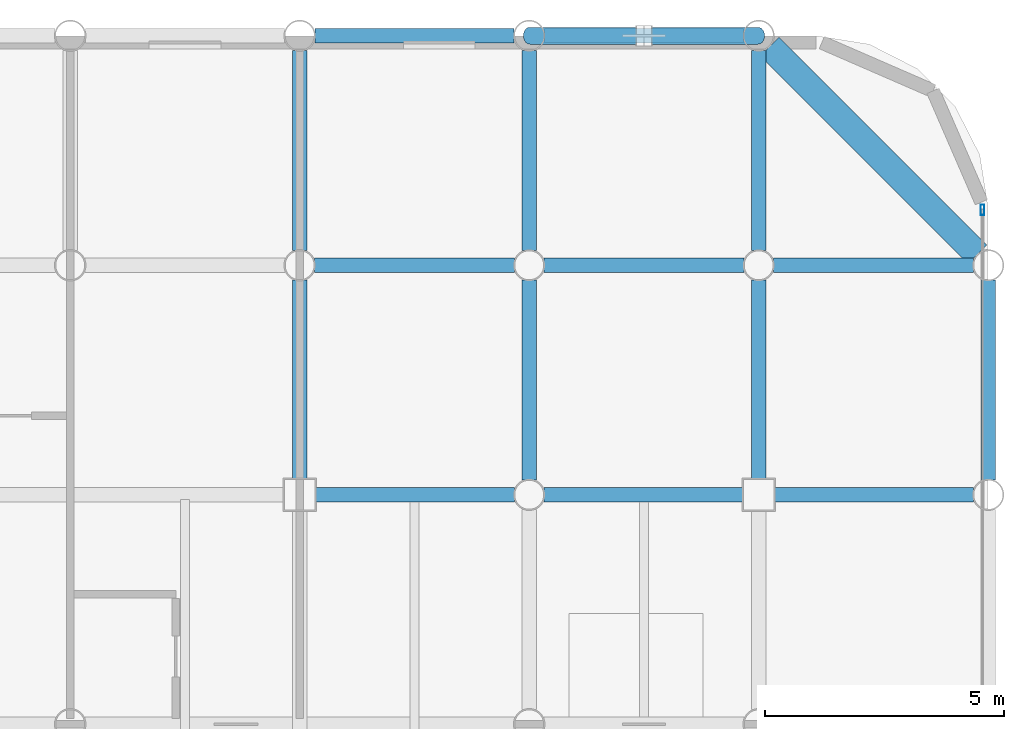
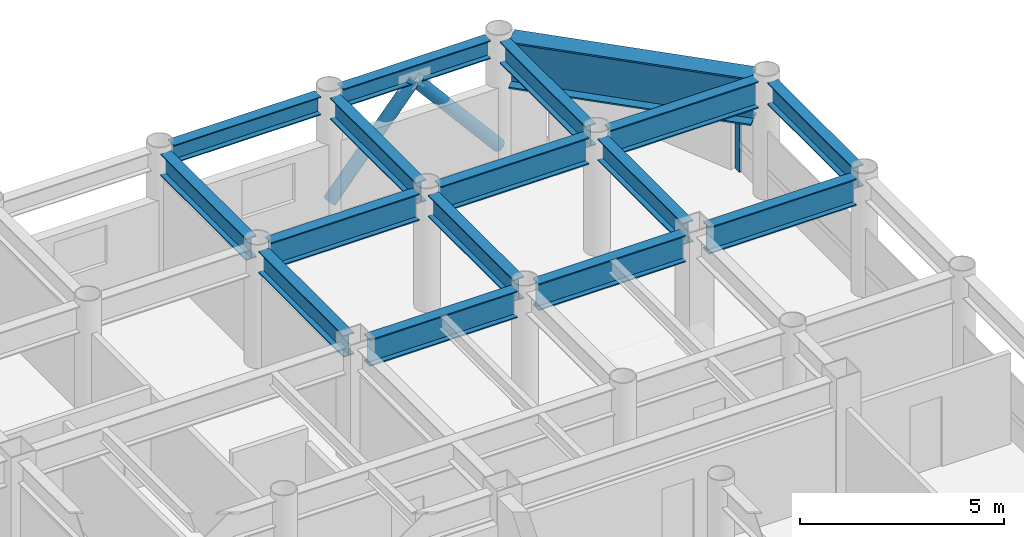
# One storey, part 14 of 21: 16 beams, 3 members, 1 element without a shape of its own.
"""IFC4 building model written with IfcOpenShell, lengths in metres."""

from ifc_helpers import new_model, si_unit, direction, frame, origin, origin_2d, place, context, subcontext, project, spatial, hollow_rectangle, hollow_circle, i_section, extrude, material, layer, layer_set, material_profile, profile_set, type_object, element, aggregate, save


model = new_model("IFC4")

# Units and contexts
model_context = context("Model", 3, precision=1e-05, world=origin(), true_north=direction((0.0, 1.0)))
body_context = subcontext(model_context, "Body", "Model", "MODEL_VIEW")
ifc_project = project(units=[si_unit("LENGTHUNIT", "METRE"), si_unit("AREAUNIT", "SQUARE_METRE"), si_unit("VOLUMEUNIT", "CUBIC_METRE"), si_unit("PLANEANGLEUNIT", "RADIAN"), si_unit("MASSUNIT", "GRAM", prefix="KILO")], contexts=[model_context])

# Site, building, storey
site_placement = place(None, origin())
site = spatial("IfcSite", under=ifc_project, at=site_placement, CompositionType="ELEMENT")
building_placement = place(site_placement, origin())
building = spatial("IfcBuilding", under=site, at=building_placement, Name="Kallvorn Hotel Tower", CompositionType="ELEMENT")
storey_placement = place(building_placement, frame((0.0, 0.0, 139.60009765625)))
storey = spatial("IfcBuildingStorey", under=building, at=storey_placement, Name="L34", CompositionType="ELEMENT", Elevation=139.60009765625)

# Beams
ifc_material_1 = material(Name="Structural steel S355JR", Category="steel")
ifc_material_profile_1 = material_profile(ifc_material_1, i_section(OverallWidth=0.300048828125, OverallDepth=0.550048828125, WebThickness=0.014892578125, FlangeThickness=0.029052734375, at=origin_2d()), Name="HE 550 B")
ifc_profile_set_1 = profile_set([ifc_material_profile_1], Name="Structural steel S355JR")
beam_type_1 = type_object("IfcBeamType", Name="BM_HE550B", PredefinedType="SPANDREL", material=ifc_profile_set_1)
for number, where, z_axis, x_axis, name in (
    (1, (14.719970703125, 24.0, 3.244873046875), (1.0, 0.0, 0.0), (0.0, 1.0, 0.0), "L35 Perimeter Spandrel 172"),
    (2, (19.52001953125, 24.0, 3.244873046875), (1.0, 0.0, 0.0), (0.0, 1.0, 0.0), "L35 Perimeter Spandrel 173"),
):
    element("IfcBeam", number, at=place(storey_placement, frame(where, z_axis=z_axis, x_axis=x_axis)), inside=storey, type_object=beam_type_1, Name=name, PredefinedType="SPANDREL", context=body_context, shape_type="SweptSolid", body=[
        extrude(i_section(OverallWidth=0.300048828125, OverallDepth=0.550048828125, WebThickness=0.014892578125, FlangeThickness=0.029052734375, at=origin_2d()), origin(), (0.0, 0.0, 1.0), 4.159912109375),
    ])
ifc_material_2 = material(Name="Structural steel S355JR", Category="steel")
ifc_material_profile_2 = material_profile(ifc_material_2, i_section(OverallWidth=0.300048828125, OverallDepth=0.64990234375, WebThickness=0.01611328125, FlangeThickness=0.031005859375, at=origin_2d()), Name="HE 650 B")
ifc_profile_set_2 = profile_set([ifc_material_profile_2], Name="Structural steel S355JR")
beam_type_2 = type_object("IfcBeamType", Name="BM_HE650B", PredefinedType="BEAM", material=ifc_profile_set_2)
beam_1_placement = place(storey_placement, frame((14.39990234375, 14.72509765625, 3.19482421875), z_axis=(0.0, 1.0, 0.0), x_axis=(-1.0, 0.0, 0.0)))
element("IfcBeam", 3, at=beam_1_placement, inside=storey, type_object=beam_type_2, Name="L35 Primary Y-Girder 125", PredefinedType="BEAM", context=body_context, shape_type="SweptSolid", body=[
    extrude(i_section(OverallWidth=0.300048828125, OverallDepth=0.64990234375, WebThickness=0.01611328125, FlangeThickness=0.031005859375, at=origin_2d()), origin(), (0.0, 0.0, 1.0), 4.169921875),
])
beam_2_placement = place(storey_placement, frame((14.39990234375, 19.5048828125, 3.19482421875), z_axis=(0.0, 1.0, 0.0), x_axis=(-1.0, 0.0, 0.0)))
element("IfcBeam", 4, at=beam_2_placement, inside=storey, type_object=beam_type_2, Name="L35 Primary Y-Girder 126", PredefinedType="BEAM", context=body_context, shape_type="SweptSolid", body=[
    extrude(i_section(OverallWidth=0.300048828125, OverallDepth=0.64990234375, WebThickness=0.01611328125, FlangeThickness=0.031005859375, at=origin_2d()), origin(), (0.0, 0.0, 1.0), 4.190185546875),
])
beam_3_placement = place(storey_placement, frame((19.199951171875, 14.705078125, 3.19482421875), z_axis=(0.0, 1.0, 0.0), x_axis=(-1.0, 0.0, 0.0)))
element("IfcBeam", 5, at=beam_3_placement, inside=storey, type_object=beam_type_2, Name="L35 Primary Y-Girder 134", PredefinedType="BEAM", context=body_context, shape_type="SweptSolid", body=[
    extrude(i_section(OverallWidth=0.300048828125, OverallDepth=0.64990234375, WebThickness=0.01611328125, FlangeThickness=0.031005859375, at=origin_2d()), origin(), (0.0, 0.0, 1.0), 4.18994140625),
])
beam_4_placement = place(storey_placement, frame((19.199951171875, 19.5048828125, 3.19482421875), z_axis=(0.0, 1.0, 0.0), x_axis=(-1.0, 0.0, 0.0)))
element("IfcBeam", 6, at=beam_4_placement, inside=storey, type_object=beam_type_2, Name="L35 Primary Y-Girder 135", PredefinedType="BEAM", context=body_context, shape_type="SweptSolid", body=[
    extrude(i_section(OverallWidth=0.300048828125, OverallDepth=0.64990234375, WebThickness=0.01611328125, FlangeThickness=0.031005859375, at=origin_2d()), origin(), (0.0, 0.0, 1.0), 4.190185546875),
])
beam_5_placement = place(storey_placement, frame((24.0, 14.72509765625, 3.19482421875), z_axis=(0.0, 1.0, 0.0), x_axis=(-1.0, 0.0, 0.0)))
element("IfcBeam", 7, at=beam_5_placement, inside=storey, type_object=beam_type_2, Name="L35 Primary Y-Girder 141", PredefinedType="BEAM", context=body_context, shape_type="SweptSolid", body=[
    extrude(i_section(OverallWidth=0.300048828125, OverallDepth=0.64990234375, WebThickness=0.01611328125, FlangeThickness=0.031005859375, at=origin_2d()), origin(), (0.0, 0.0, 1.0), 4.169921875),
])
beam_6_placement = place(storey_placement, frame((24.0, 19.5048828125, 3.19482421875), z_axis=(0.0, 1.0, 0.0), x_axis=(-1.0, 0.0, 0.0)))
element("IfcBeam", 8, at=beam_6_placement, inside=storey, type_object=beam_type_2, Name="L35 Primary Y-Girder 142", PredefinedType="BEAM", context=body_context, shape_type="SweptSolid", body=[
    extrude(i_section(OverallWidth=0.300048828125, OverallDepth=0.64990234375, WebThickness=0.01611328125, FlangeThickness=0.031005859375, at=origin_2d()), origin(), (0.0, 0.0, 1.0), 4.190185546875),
])
beam_7_placement = place(storey_placement, frame((28.800048828125, 14.705078125, 3.19482421875), z_axis=(0.0, 1.0, 0.0), x_axis=(-1.0, 0.0, 0.0)))
element("IfcBeam", 9, at=beam_7_placement, inside=storey, type_object=beam_type_2, Name="L35 Primary Y-Girder 150", PredefinedType="BEAM", context=body_context, shape_type="SweptSolid", body=[
    extrude(i_section(OverallWidth=0.300048828125, OverallDepth=0.64990234375, WebThickness=0.01611328125, FlangeThickness=0.031005859375, at=origin_2d()), origin(), (0.0, 0.0, 1.0), 4.18994140625),
])
ifc_material_3 = material(Name="Structural steel S355JR", Category="steel")
ifc_material_profile_3 = material_profile(ifc_material_3, i_section(OverallWidth=0.300048828125, OverallDepth=0.800048828125, WebThickness=0.017578125, FlangeThickness=0.032958984375, at=origin_2d()), Name="HE 800 B")
ifc_profile_set_3 = profile_set([ifc_material_profile_3], Name="Structural steel S355JR")
beam_type_3 = type_object("IfcBeamType", Name="BM_HE800B", PredefinedType="BEAM", material=ifc_profile_set_3)
beam_8_placement = place(storey_placement, frame((14.72509765625, 14.39990234375, 3.119873046875), z_axis=(1.0, 0.0, 0.0), x_axis=(0.0, 1.0, 0.0)))
element("IfcBeam", 10, at=beam_8_placement, inside=storey, type_object=beam_type_3, Name="L35 Primary X-Girder 57", PredefinedType="BEAM", context=body_context, shape_type="SweptSolid", body=[
    extrude(i_section(OverallWidth=0.300048828125, OverallDepth=0.800048828125, WebThickness=0.017578125, FlangeThickness=0.032958984375, at=origin_2d()), origin(), (0.0, 0.0, 1.0), 4.169921875),
])
for number, where, z_axis, x_axis, name in (
    (11, (19.5048828125, 14.39990234375, 3.119873046875), (1.0, 0.0, 0.0), (0.0, 1.0, 0.0), "L35 Primary X-Girder 58"),
    (12, (24.324951171875, 14.39990234375, 3.119873046875), (1.0, 0.0, 0.0), (0.0, 1.0, 0.0), "L35 Primary X-Girder 59"),
):
    element("IfcBeam", number, at=place(storey_placement, frame(where, z_axis=z_axis, x_axis=x_axis)), inside=storey, type_object=beam_type_3, Name=name, PredefinedType="BEAM", context=body_context, shape_type="SweptSolid", body=[
        extrude(i_section(OverallWidth=0.300048828125, OverallDepth=0.800048828125, WebThickness=0.017578125, FlangeThickness=0.032958984375, at=origin_2d()), origin(), (0.0, 0.0, 1.0), 4.170166015625),
    ])
beam_9_placement = place(storey_placement, frame((14.705078125, 19.199951171875, 3.119873046875), z_axis=(1.0, 0.0, 0.0), x_axis=(0.0, 1.0, 0.0)))
element("IfcBeam", 13, at=beam_9_placement, inside=storey, type_object=beam_type_3, Name="L35 Primary X-Girder 70", PredefinedType="BEAM", context=body_context, shape_type="SweptSolid", body=[
    extrude(i_section(OverallWidth=0.300048828125, OverallDepth=0.800048828125, WebThickness=0.017578125, FlangeThickness=0.032958984375, at=origin_2d()), origin(), (0.0, 0.0, 1.0), 4.18994140625),
])
for number, where, z_axis, x_axis, name in (
    (14, (19.5048828125, 19.199951171875, 3.119873046875), (1.0, 0.0, 0.0), (0.0, 1.0, 0.0), "L35 Primary X-Girder 71"),
    (15, (24.304931640625, 19.199951171875, 3.119873046875), (1.0, 0.0, 0.0), (0.0, 1.0, 0.0), "L35 Primary X-Girder 72"),
):
    element("IfcBeam", number, at=place(storey_placement, frame(where, z_axis=z_axis, x_axis=x_axis)), inside=storey, type_object=beam_type_3, Name=name, PredefinedType="BEAM", context=body_context, shape_type="SweptSolid", body=[
        extrude(i_section(OverallWidth=0.300048828125, OverallDepth=0.800048828125, WebThickness=0.017578125, FlangeThickness=0.032958984375, at=origin_2d()), origin(), (0.0, 0.0, 1.0), 4.190185546875),
    ])
ifc_material_4 = material(Name="Structural steel S355JR", Category="steel")
ifc_material_profile_4 = material_profile(ifc_material_4, i_section(OverallWidth=0.550048828125, OverallDepth=1.39990234375, WebThickness=0.02490234375, FlangeThickness=0.044921875, at=origin_2d()), Name="PG 1400x550x25x45")
ifc_profile_set_4 = profile_set([ifc_material_profile_4], Name="Structural steel S355JR")
beam_type_4 = type_object("IfcBeamType", Name="BM_PG_1400", PredefinedType="BEAM", material=ifc_profile_set_4)
beam_10_placement = place(storey_placement, frame((28.57373046875, 19.42626953125, 2.81982421875), z_axis=(-0.707106781187, 0.707106781187, 0.0), x_axis=(-0.707106781187, -0.707106781187, 0.0)))
element("IfcBeam", 16, at=beam_10_placement, inside=storey, type_object=beam_type_4, Name="L35 Rounded Corner Tie Beam 191", PredefinedType="BEAM", context=body_context, shape_type="SweptSolid", body=[
    extrude(i_section(OverallWidth=0.550048828125, OverallDepth=1.39990234375, WebThickness=0.02490234375, FlangeThickness=0.044921875, at=origin_2d()), origin(), (0.0, 0.0, 1.0), 6.148193359375),
])

# Curtain wall, member
ifc_material_5 = material(Name="Thermally broken black-anodised aluminium AA 6063-T6", Category="aluminium")
ifc_layer = layer(ifc_material_5, 0.2099609375)
ifc_layer_set = layer_set([ifc_layer], Name="CW_SYS_4_HOTEL_MID")
curtain_wall_type = type_object("IfcCurtainWallType", Name="CW_SYS_4_HOTEL_MID", PredefinedType="USERDEFINED", material=ifc_layer_set)
curtain_wall_placement = place(storey_placement, origin())
curtain_wall = element("IfcCurtainWall", 17, at=curtain_wall_placement, inside=storey, type_object=curtain_wall_type, Name="L34 Dark-Glass Curtain Wall CW-L34-EN", ObjectType="UNITISED CURTAIN WALL", PredefinedType="USERDEFINED")
ifc_material_6 = material(Name="Thermally broken black-anodised aluminium AA 6063-T6", Category="aluminium")
ifc_material_profile_5 = material_profile(ifc_material_6, hollow_rectangle(XDim=0.080078125, YDim=0.219970703125, WallThickness=0.0048828125, at=origin_2d()), Name="MUL 220x80")
ifc_profile_set_5 = profile_set([ifc_material_profile_5], Name="Thermally broken black-anodised aluminium AA 6063-T6")
member_type_1 = type_object("IfcMemberType", Name="CW_MULLION_220x80", PredefinedType="MULLION", material=ifc_profile_set_5)
member_placement = place(storey_placement, frame((28.679931640625, 20.360107421875, 0.02001953125), z_axis=(0.0, 0.0, 1.0), x_axis=(1.0, 0.0, 0.0)))
member = element("IfcMember", 18, at=member_placement, type_object=member_type_1, Name="CW-L34-EN Mullion 01", PredefinedType="MULLION", context=body_context, shape_type="SweptSolid", body=[
    extrude(hollow_rectangle(XDim=0.080078125, YDim=0.219970703125, WallThickness=0.0048828125, at=origin_2d()), origin(), (0.0, 0.0, 1.0), 2.079833984375),
])
aggregate(curtain_wall, [member])

# Members
ifc_material_7 = material(Name="Structural steel S355J2H", Category="steel")
ifc_material_profile_6 = material_profile(ifc_material_7, hollow_circle(Radius=0.177734375, WallThickness=0.01416015625, at=origin_2d()), Name="CHS 355.6x14.2")
ifc_profile_set_6 = profile_set([ifc_material_profile_6], Name="Structural steel S355J2H")
member_type_2 = type_object("IfcMemberType", Name="MBR_EXO_CHS355", PredefinedType="BRACE", material=ifc_profile_set_6)
for number, where, z_axis, x_axis, name in (
    (19, (19.212890625, 24.0, 0.1953125), (0.646833296797, 0.0, 0.762631422218), (0.0, 1.0, 0.0), "L34 Exoskeleton K-Brace N2A"),
    (20, (23.987060546875, 24.0, 0.1953125), (-0.646833296797, 0.0, 0.762631422218), (0.0, -1.0, 0.0), "L34 Exoskeleton K-Brace N2B"),
):
    element("IfcMember", number, at=place(storey_placement, frame(where, z_axis=z_axis, x_axis=x_axis)), inside=storey, type_object=member_type_2, Name=name, PredefinedType="BRACE", context=body_context, shape_type="SweptSolid", body=[
        extrude(hollow_circle(Radius=0.177734375, WallThickness=0.01416015625, at=origin_2d()), origin(), (0.0, 0.0, 1.0), 3.670654296875),
    ])

save(model, "model.ifc")
